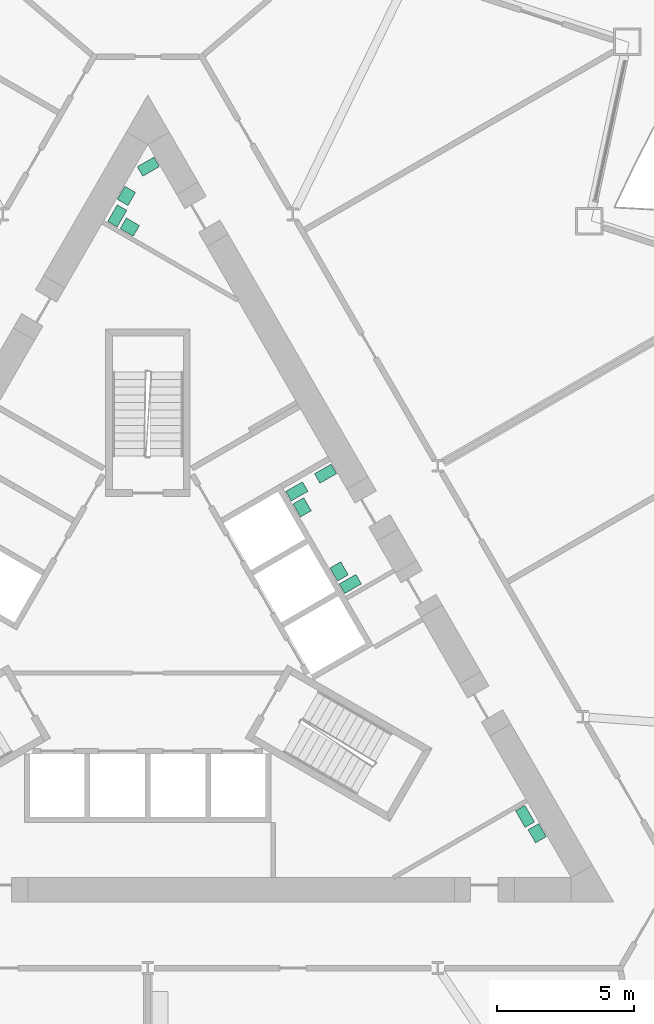
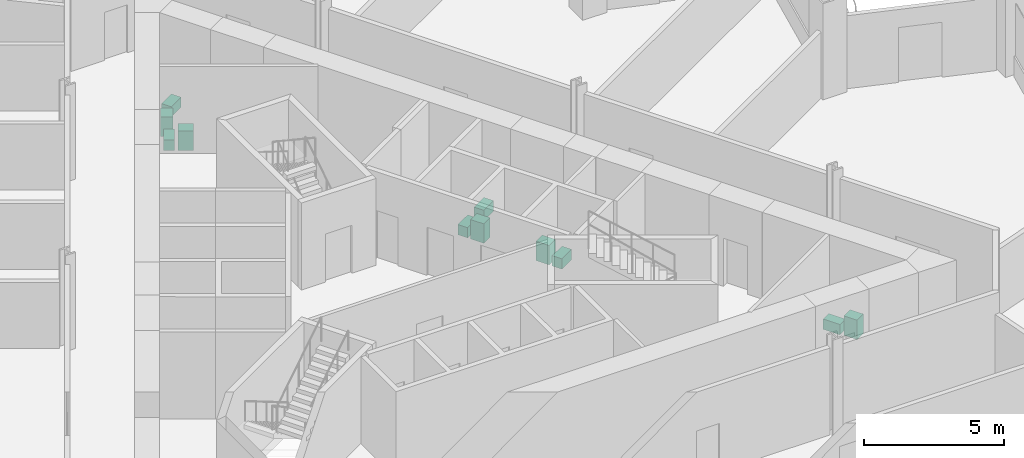
# One storey, part 20 of 21: 11 sanitary terminals.
"""IFC4 building model written with IfcOpenShell, lengths in metres."""

from ifc_helpers import new_model, si_unit, direction, frame, origin, origin_2d, place, context, subcontext, project, spatial, rectangle, extrude, material, type_object, element, save


model = new_model("IFC4")

# Units and contexts
model_context = context("Model", 3, precision=1e-05, world=origin(), true_north=direction((0.0, 1.0)))
body_context = subcontext(model_context, "Body", "Model", "MODEL_VIEW")
ifc_project = project(units=[si_unit("LENGTHUNIT", "METRE"), si_unit("AREAUNIT", "SQUARE_METRE"), si_unit("VOLUMEUNIT", "CUBIC_METRE"), si_unit("PLANEANGLEUNIT", "RADIAN"), si_unit("MASSUNIT", "GRAM", prefix="KILO")], contexts=[model_context])

# Site, building, storey
site_placement = place(None, origin())
site = spatial("IfcSite", under=ifc_project, at=site_placement, CompositionType="ELEMENT")
building_placement = place(site_placement, origin())
building = spatial("IfcBuilding", under=site, at=building_placement, Name="Cormorant Prow Tower", CompositionType="ELEMENT")
storey_placement = place(building_placement, frame((0.0, 0.0, 80.39990234375)))
storey = spatial("IfcBuildingStorey", under=building, at=storey_placement, Name="L17", CompositionType="ELEMENT", Elevation=80.39990234375)

# Sanitary terminals
ifc_material_1 = material(Name="Vitreous china")
sanitary_terminal_type_1 = type_object("IfcSanitaryTerminalType", Name="Wash basin 550x450", PredefinedType="WASHHANDBASIN", material=ifc_material_1)
for number, where, z_axis, x_axis, name in (
    (1, (5.63037109375, 4.590087890625, 0.0), (0.0, 0.0, 1.0), (0.5, -0.866025403784, 0.0), "Wash basin"),
    (2, (6.980224609375, 2.251953125, 0.0), (0.0, 0.0, 1.0), (0.5, -0.866025403784, 0.0), "Wash basin"),
    (3, (-0.7802734375, 15.94873046875, 0.0), (0.0, 0.0, 1.0), (-0.500015114919, -0.866016677006, 0.0), "Wash basin"),
    (4, (-0.656982421875, 14.811767578125, 0.0), (0.0, 0.0, 1.0), (0.866025403784, -0.5, 0.0), "Wash basin"),
    (5, (14.2021484375, -7.298828125, 0.0), (0.0, 0.0, 1.0), (-0.5, 0.866025403784, 0.0), "Wash basin"),
):
    element("IfcSanitaryTerminal", number, at=place(storey_placement, frame(where, z_axis=z_axis, x_axis=x_axis)), inside=storey, type_object=sanitary_terminal_type_1, Name=name, PredefinedType="WASHHANDBASIN", context=body_context, shape_type="SweptSolid", body=[
        extrude(rectangle(XDim=0.550048828125, YDim=0.449951171875, at=origin_2d()), origin(), (0.0, 0.0, 1.0), 0.85009765625),
    ])
ifc_material_2 = material(Name="Vitreous china")
sanitary_terminal_type_2 = type_object("IfcSanitaryTerminalType", Name="Water closet 400x700", PredefinedType="WCSEAT", material=ifc_material_2)
for number, where, z_axis, x_axis, name in (
    (6, (7.388427734375, 1.794677734375, 0.0), (0.0, 0.0, 1.0), (0.5, -0.866025403784, 0.0), "Water closet"),
    (7, (5.438720703125, 5.172119140625, 0.0), (0.0, 0.0, 1.0), (0.5, -0.866025403784, 0.0), "Water closet"),
    (8, (6.4853515625, 5.81689453125, 0.0), (0.0, 0.0, 1.0), (-0.5, 0.866025403784, 0.0), "Water closet"),
    (9, (-1.1142578125, 15.219970703125, 0.0), (0.0, 0.0, 1.0), (0.866025403784, -0.5, 0.0), "Water closet"),
    (10, (0.02001953125, 17.015380859375, 0.0), (0.0, 0.0, 1.0), (-0.5, 0.866025403784, 0.0), "Water closet"),
    (11, (13.760498046875, -6.68408203125, 0.0), (0.0, 0.0, 1.0), (-0.866025403784, -0.5, 0.0), "Water closet"),
):
    element("IfcSanitaryTerminal", number, at=place(storey_placement, frame(where, z_axis=z_axis, x_axis=x_axis)), inside=storey, type_object=sanitary_terminal_type_2, Name=name, PredefinedType="WCSEAT", context=body_context, shape_type="SweptSolid", body=[
        extrude(rectangle(XDim=0.39990234375, YDim=0.699951171875, at=origin_2d()), origin(), (0.0, 0.0, 1.0), 0.449951171875),
    ])

save(model, "model.ifc")
